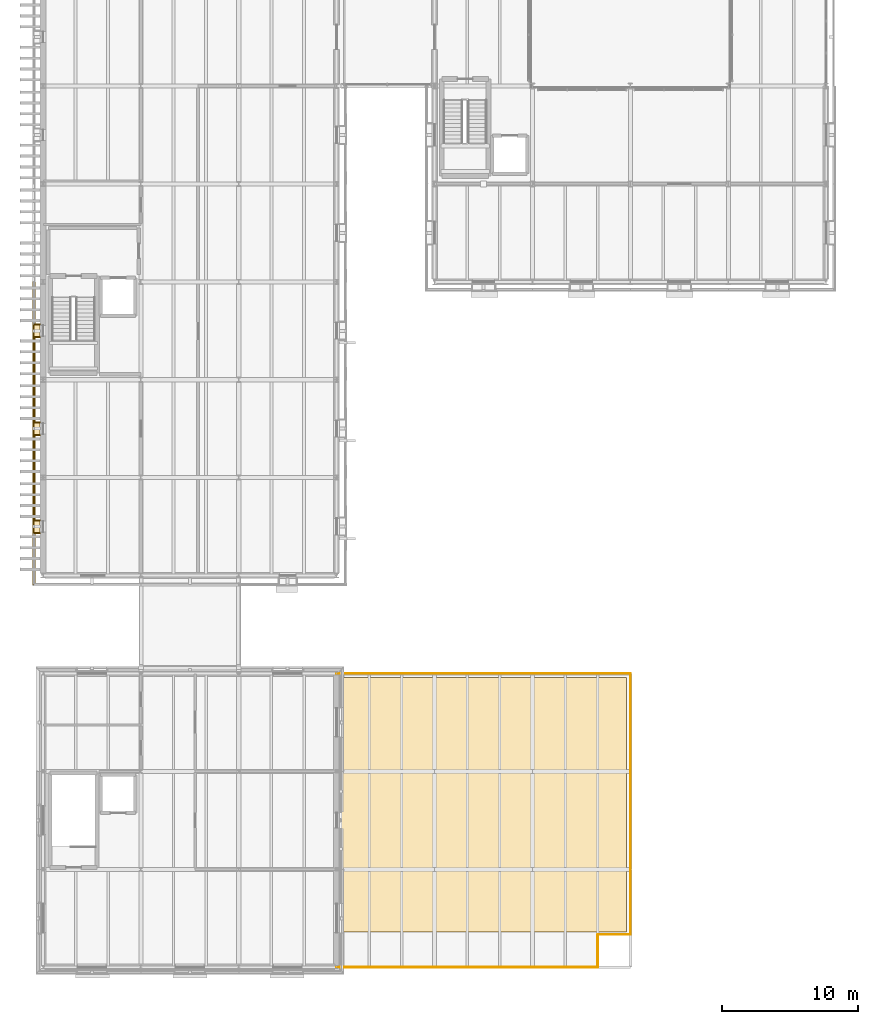
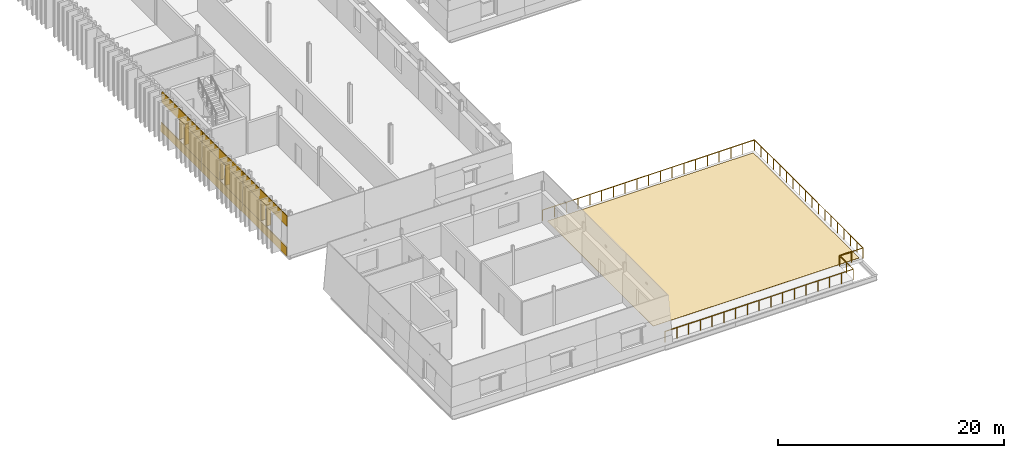
# One storey, part 93 of 115: 23 coverings, 5 railings.
"""IFC4 building model written with IfcOpenShell, lengths in metres."""

from ifc_helpers import new_model, si_unit, direction, frame, origin, origin_2d, place, context, subcontext, project, spatial, polyline, circle, outline, extrude, material, layer, layer_set, type_object, element, save


model = new_model("IFC4")

# Units and contexts
model_context = context("Model", 3, precision=1e-05, world=origin(), true_north=direction((0.0, 1.0)))
body_context = subcontext(model_context, "Body", "Model", "MODEL_VIEW")
ifc_project = project(units=[si_unit("LENGTHUNIT", "METRE"), si_unit("AREAUNIT", "SQUARE_METRE"), si_unit("VOLUMEUNIT", "CUBIC_METRE"), si_unit("PLANEANGLEUNIT", "RADIAN"), si_unit("MASSUNIT", "GRAM", prefix="KILO")], contexts=[model_context])

# Site, building, storey
site_placement = place(None, origin())
site = spatial("IfcSite", under=ifc_project, at=site_placement, CompositionType="ELEMENT")
building_placement = place(site_placement, origin())
building = spatial("IfcBuilding", under=site, at=building_placement, Name="Narikvali Park Central Library", CompositionType="ELEMENT")
storey_placement = place(building_placement, frame((0.0, 0.0, 10.199951171875)))
storey = spatial("IfcBuildingStorey", under=building, at=storey_placement, Name="L02", CompositionType="ELEMENT", Elevation=10.199951171875)

# Coverings
ifc_material_1 = material(Name="White Honed Limestone Cladding", Category="masonry")
ifc_layer_1 = layer(ifc_material_1, 0.0849609375, Name="White Honed Limestone Cladding")
ifc_layer_set_1 = layer_set([ifc_layer_1], Name="White Honed Limestone Cladding")
covering_type_1 = type_object("IfcCoveringType", Name="Battered White Limestone Facade Cladding Panel", PredefinedType="CLADDING", material=ifc_layer_set_1)
covering_1_placement = place(storey_placement, frame((-0.75048828125, 50.39990234375, 0.0), z_axis=(-0.999600632529, 0.0, 0.02825907725), x_axis=(0.0, -1.0, 0.0)))
element("IfcCovering", 1, at=covering_1_placement, inside=storey, type_object=covering_type_1, Name="V5 L02 W Battered Limestone Spandrel B09", PredefinedType="CLADDING", context=body_context, shape_type="SweptSolid", body=[
    extrude(outline(polyline([(0.0, 0.0), (7.199951171875, 0.0), (7.199951171875, 0.9503307030441919), (0.0, 0.9503307030441919), (0.0, 0.0)])), origin(), (0.0, 0.0, -1.0), 0.0849609375),
])
covering_2_placement = place(storey_placement, frame((-0.66259765625, 50.39990234375, 3.10009765625), z_axis=(-0.999602873297, 0.0, 0.028179703642), x_axis=(0.0, -1.0, 0.0)))
element("IfcCovering", 2, at=covering_2_placement, inside=storey, type_object=covering_type_1, Name="V5 L02 W Battered Limestone Lintel B09", PredefinedType="CLADDING", context=body_context, shape_type="SweptSolid", body=[
    extrude(outline(polyline([(0.0, 0.0), (7.199951171875, 0.0), (7.199951171875, 1.1002904703523768), (0.0, 1.1002904703523768), (0.0, 0.0)])), origin(), (0.0, 0.0, -1.0), 0.0849609375),
])
covering_3_placement = place(storey_placement, frame((-0.7236328125, 46.360107421875, 0.949951171875), z_axis=(-0.99959734633, 0.0, 0.028375080797), x_axis=(0.0, -1.0, 0.0)))
element("IfcCovering", 3, at=covering_3_placement, inside=storey, type_object=covering_type_1, Name="V5 L02 W Battered Limestone Jamb Pier R B09", PredefinedType="CLADDING", context=body_context, shape_type="SweptSolid", body=[
    extrude(outline(polyline([(0.0, 0.0), (3.16015625, 0.0), (3.16015625, 2.1510125974918495), (0.0, 2.1510125974918495), (0.0, 0.0)])), origin(), (0.0, 0.0, -1.0), 0.0849609375),
])
covering_4_placement = place(storey_placement, frame((-0.75048828125, 43.199951171875, 0.0), z_axis=(-0.999600632529, 0.0, 0.02825907725), x_axis=(0.0, -1.0, 0.0)))
element("IfcCovering", 4, at=covering_4_placement, inside=storey, type_object=covering_type_1, Name="V5 L02 W Battered Limestone Spandrel B10", PredefinedType="CLADDING", context=body_context, shape_type="SweptSolid", body=[
    extrude(outline(polyline([(0.0, 0.0), (7.199951171875, 0.0), (7.199951171875, 0.9503307030441919), (0.0, 0.9503307030441919), (0.0, 0.0)])), origin(), (0.0, 0.0, -1.0), 0.0849609375),
])
covering_5_placement = place(storey_placement, frame((-0.66259765625, 43.199951171875, 3.10009765625), z_axis=(-0.999602873297, 0.0, 0.028179703642), x_axis=(0.0, -1.0, 0.0)))
element("IfcCovering", 5, at=covering_5_placement, inside=storey, type_object=covering_type_1, Name="V5 L02 W Battered Limestone Lintel B10", PredefinedType="CLADDING", context=body_context, shape_type="SweptSolid", body=[
    extrude(outline(polyline([(0.0, 0.0), (7.199951171875, 0.0), (7.199951171875, 1.1002904703523768), (0.0, 1.1002904703523768), (0.0, 0.0)])), origin(), (0.0, 0.0, -1.0), 0.0849609375),
])
for number, where, z_axis, x_axis, name in (
    (6, (-0.7236328125, 43.199951171875, 0.949951171875), (-0.99959734633, 0.0, 0.028375080797), (0.0, -1.0, 0.0), "V5 L02 W Battered Limestone Jamb Pier L B10"),
    (7, (-0.7236328125, 39.159912109375, 0.949951171875), (-0.99959734633, 0.0, 0.028375080797), (0.0, -1.0, 0.0), "V5 L02 W Battered Limestone Jamb Pier R B10"),
):
    element("IfcCovering", number, at=place(storey_placement, frame(where, z_axis=z_axis, x_axis=x_axis)), inside=storey, type_object=covering_type_1, Name=name, PredefinedType="CLADDING", context=body_context, shape_type="SweptSolid", body=[
        extrude(outline(polyline([(0.0, 0.0), (3.159912109375, 0.0), (3.159912109375, 2.1510125974918495), (0.0, 2.1510125974918495), (0.0, 0.0)])), origin(), (0.0, 0.0, -1.0), 0.0849609375),
    ])
covering_6_placement = place(storey_placement, frame((-0.75048828125, 36.0, 0.0), z_axis=(-0.999600632529, 0.0, 0.02825907725), x_axis=(0.0, -1.0, 0.0)))
element("IfcCovering", 8, at=covering_6_placement, inside=storey, type_object=covering_type_1, Name="V5 L02 W Battered Limestone Spandrel B11", PredefinedType="CLADDING", context=body_context, shape_type="SweptSolid", body=[
    extrude(outline(polyline([(0.0, 0.0), (7.865478515625, 0.0), (7.838623046875, 0.950330703044192), (0.0, 0.950330703044192), (0.0, 0.0)])), origin(), (0.0, 0.0, -1.0), 0.0849609375),
])
covering_7_placement = place(storey_placement, frame((-0.66259765625, 36.0, 3.10009765625), z_axis=(-0.999602873297, 0.0, 0.028179703642), x_axis=(0.0, -1.0, 0.0)))
element("IfcCovering", 9, at=covering_7_placement, inside=storey, type_object=covering_type_1, Name="V5 L02 W Battered Limestone Lintel B11", PredefinedType="CLADDING", context=body_context, shape_type="SweptSolid", body=[
    extrude(outline(polyline([(0.0, 0.0), (7.777587890625, 0.0), (7.74658203125, 1.1002904703523768), (0.0, 1.1002904703523768), (0.0, 0.0)])), origin(), (0.0, 0.0, -1.0), 0.0849609375),
])
covering_8_placement = place(storey_placement, frame((-0.7236328125, 36.0, 0.949951171875), z_axis=(-0.99959734633, 0.0, 0.028375080797), x_axis=(0.0, -1.0, 0.0)))
element("IfcCovering", 10, at=covering_8_placement, inside=storey, type_object=covering_type_1, Name="V5 L02 W Battered Limestone Jamb Pier L B11", PredefinedType="CLADDING", context=body_context, shape_type="SweptSolid", body=[
    extrude(outline(polyline([(0.0, 0.0), (3.159912109375, 0.0), (3.159912109375, 2.1510125974918495), (0.0, 2.1510125974918495), (0.0, 0.0)])), origin(), (0.0, 0.0, -1.0), 0.0849609375),
])
ifc_layer_2 = layer(ifc_material_1, 0.080078125, Name="White Honed Limestone Cladding")
ifc_layer_set_2 = layer_set([ifc_layer_2], Name="White Honed Limestone Cladding")
covering_type_2 = type_object("IfcCoveringType", Name="Deep Carved White Limestone Window Reveal", PredefinedType="CLADDING", material=ifc_layer_set_2)
covering_9_placement = place(storey_placement, frame((0.0, 0.0, 3.10009765625)))
element("IfcCovering", 11, at=covering_9_placement, inside=storey, type_object=covering_type_2, Name="Deep Stone Reveal Head V5-RVL-L02-W-B09", PredefinedType="CLADDING", context=body_context, shape_type="SweptSolid", body=[
    extrude(outline(polyline([(-0.205078125, 47.280029296875), (-0.205078125, 46.320068359375), (-0.66259765625, 46.320068359375), (-0.66259765625, 47.280029296875), (-0.205078125, 47.280029296875)])), origin(), (0.0, 0.0, 1.0), 0.079833984375),
])
covering_10_placement = place(storey_placement, frame((0.0, 0.0, 0.8701171875)))
element("IfcCovering", 12, at=covering_10_placement, inside=storey, type_object=covering_type_2, Name="Deep Stone Reveal Sill V5-RVL-L02-W-B09", PredefinedType="CLADDING", context=body_context, shape_type="SweptSolid", body=[
    extrude(outline(polyline([(-0.205078125, 47.280029296875), (-0.205078125, 46.320068359375), (-0.7236328125, 46.320068359375), (-0.7236328125, 47.280029296875), (-0.205078125, 47.280029296875)])), origin(), (0.0, 0.0, 1.0), 0.079833984375),
])
covering_11_placement = place(storey_placement, frame((0.0, 0.0, 0.949951171875)))
element("IfcCovering", 13, at=covering_11_placement, inside=storey, type_object=covering_type_2, Name="Deep Stone Reveal Jamb L V5-RVL-L02-W-B09", PredefinedType="CLADDING", context=body_context, shape_type="SweptSolid", body=[
    extrude(outline(polyline([(-0.205078125, 47.320068359375), (-0.205078125, 47.239990234375), (-0.66259765625, 47.239990234375), (-0.66259765625, 47.320068359375), (-0.205078125, 47.320068359375)])), origin(), (0.0, 0.0, 1.0), 2.150146484375),
])
covering_12_placement = place(storey_placement, frame((0.0, 0.0, 0.949951171875)))
element("IfcCovering", 14, at=covering_12_placement, inside=storey, type_object=covering_type_2, Name="Deep Stone Reveal Jamb R V5-RVL-L02-W-B09", PredefinedType="CLADDING", context=body_context, shape_type="SweptSolid", body=[
    extrude(outline(polyline([(-0.205078125, 46.360107421875), (-0.205078125, 46.280029296875), (-0.66259765625, 46.280029296875), (-0.66259765625, 46.360107421875), (-0.205078125, 46.360107421875)])), origin(), (0.0, 0.0, 1.0), 2.150146484375),
])
covering_13_placement = place(storey_placement, frame((0.0, 0.0, 3.10009765625)))
element("IfcCovering", 15, at=covering_13_placement, inside=storey, type_object=covering_type_2, Name="Deep Stone Reveal Head V5-RVL-L02-W-B10", PredefinedType="CLADDING", context=body_context, shape_type="SweptSolid", body=[
    extrude(outline(polyline([(-0.205078125, 40.080078125), (-0.205078125, 39.1201171875), (-0.66259765625, 39.1201171875), (-0.66259765625, 40.080078125), (-0.205078125, 40.080078125)])), origin(), (0.0, 0.0, 1.0), 0.079833984375),
])
covering_14_placement = place(storey_placement, frame((0.0, 0.0, 0.8701171875)))
element("IfcCovering", 16, at=covering_14_placement, inside=storey, type_object=covering_type_2, Name="Deep Stone Reveal Sill V5-RVL-L02-W-B10", PredefinedType="CLADDING", context=body_context, shape_type="SweptSolid", body=[
    extrude(outline(polyline([(-0.205078125, 40.080078125), (-0.205078125, 39.1201171875), (-0.7236328125, 39.1201171875), (-0.7236328125, 40.080078125), (-0.205078125, 40.080078125)])), origin(), (0.0, 0.0, 1.0), 0.079833984375),
])
covering_15_placement = place(storey_placement, frame((0.0, 0.0, 0.949951171875)))
element("IfcCovering", 17, at=covering_15_placement, inside=storey, type_object=covering_type_2, Name="Deep Stone Reveal Jamb L V5-RVL-L02-W-B10", PredefinedType="CLADDING", context=body_context, shape_type="SweptSolid", body=[
    extrude(outline(polyline([(-0.205078125, 40.1201171875), (-0.205078125, 40.0400390625), (-0.66259765625, 40.0400390625), (-0.66259765625, 40.1201171875), (-0.205078125, 40.1201171875)])), origin(), (0.0, 0.0, 1.0), 2.150146484375),
])
covering_16_placement = place(storey_placement, frame((0.0, 0.0, 0.949951171875)))
element("IfcCovering", 18, at=covering_16_placement, inside=storey, type_object=covering_type_2, Name="Deep Stone Reveal Jamb R V5-RVL-L02-W-B10", PredefinedType="CLADDING", context=body_context, shape_type="SweptSolid", body=[
    extrude(outline(polyline([(-0.205078125, 39.159912109375), (-0.205078125, 39.080078125), (-0.66259765625, 39.080078125), (-0.66259765625, 39.159912109375), (-0.205078125, 39.159912109375)])), origin(), (0.0, 0.0, 1.0), 2.150146484375),
])
covering_17_placement = place(storey_placement, frame((0.0, 0.0, 3.10009765625)))
element("IfcCovering", 19, at=covering_17_placement, inside=storey, type_object=covering_type_2, Name="Deep Stone Reveal Head V5-RVL-L02-W-B11", PredefinedType="CLADDING", context=body_context, shape_type="SweptSolid", body=[
    extrude(outline(polyline([(-0.205078125, 32.8798828125), (-0.205078125, 31.919921875), (-0.66259765625, 31.919921875), (-0.66259765625, 32.8798828125), (-0.205078125, 32.8798828125)])), origin(), (0.0, 0.0, 1.0), 0.079833984375),
])
covering_18_placement = place(storey_placement, frame((0.0, 0.0, 0.8701171875)))
element("IfcCovering", 20, at=covering_18_placement, inside=storey, type_object=covering_type_2, Name="Deep Stone Reveal Sill V5-RVL-L02-W-B11", PredefinedType="CLADDING", context=body_context, shape_type="SweptSolid", body=[
    extrude(outline(polyline([(-0.205078125, 32.8798828125), (-0.205078125, 31.919921875), (-0.7236328125, 31.919921875), (-0.7236328125, 32.8798828125), (-0.205078125, 32.8798828125)])), origin(), (0.0, 0.0, 1.0), 0.079833984375),
])
covering_19_placement = place(storey_placement, frame((0.0, 0.0, 0.949951171875)))
element("IfcCovering", 21, at=covering_19_placement, inside=storey, type_object=covering_type_2, Name="Deep Stone Reveal Jamb L V5-RVL-L02-W-B11", PredefinedType="CLADDING", context=body_context, shape_type="SweptSolid", body=[
    extrude(outline(polyline([(-0.205078125, 32.919921875), (-0.205078125, 32.840087890625), (-0.66259765625, 32.840087890625), (-0.66259765625, 32.919921875), (-0.205078125, 32.919921875)])), origin(), (0.0, 0.0, 1.0), 2.150146484375),
])
covering_20_placement = place(storey_placement, frame((0.0, 0.0, 0.949951171875)))
element("IfcCovering", 22, at=covering_20_placement, inside=storey, type_object=covering_type_2, Name="Deep Stone Reveal Jamb R V5-RVL-L02-W-B11", PredefinedType="CLADDING", context=body_context, shape_type="SweptSolid", body=[
    extrude(outline(polyline([(-0.205078125, 31.9599609375), (-0.205078125, 31.8798828125), (-0.66259765625, 31.8798828125), (-0.66259765625, 31.9599609375), (-0.205078125, 31.9599609375)])), origin(), (0.0, 0.0, 1.0), 2.150146484375),
])
ifc_material_2 = material(Name="Root-Resistant EPDM Waterproofing Membrane")
ifc_layer_3 = layer(ifc_material_2, 0.02490234375, Name="Root-Resistant EPDM Waterproofing Membrane")
ifc_layer_set_3 = layer_set([ifc_layer_3], Name="Root-Resistant EPDM Waterproofing Membrane")
covering_type_3 = type_object("IfcCoveringType", Name="Planted Roof Waterproofing Membrane", PredefinedType="MEMBRANE", material=ifc_layer_set_3)
covering_21_placement = place(storey_placement, origin())
element("IfcCovering", 23, at=covering_21_placement, inside=storey, type_object=covering_type_3, Name="V2 L02 Terrace EPDM Membrane", PredefinedType="MEMBRANE", context=body_context, shape_type="SweptSolid", body=[
    extrude(outline(polyline([(21.89990234375, 2.60009765625), (42.89990234375, 2.60009765625), (42.89990234375, 21.300048828125), (21.89990234375, 21.300048828125), (21.89990234375, 2.60009765625)])), origin(), (0.0, 0.0, 1.0), 0.025146484375),
])

# Railings
ifc_material_3 = material(Name="Anodised Bronze and White Limestone", Category="masonry")
ifc_layer_4 = layer(ifc_material_3, 0.080078125, Name="Anodised Bronze and White Limestone")
ifc_layer_set_4 = layer_set([ifc_layer_4], Name="Anodised Bronze and White Limestone")
railing_type = type_object("IfcRailingType", Name="Terrace Stone and Bronze Balustrade 1150", PredefinedType="BALUSTRADE", material=ifc_layer_set_4)
railing_1_placement = place(storey_placement, frame((21.60009765625, 0.0, 0.0)))
element("IfcRailing", 24, at=railing_1_placement, inside=storey, type_object=railing_type, Name="V2 L02 Roof Garden Balustrade 1", PredefinedType="BALUSTRADE", context=body_context, shape_type="SweptSolid", body=[
    extrude(circle(Radius=0.02392578125, at=origin_2d()), frame((0.0, 0.0, 1.1259765625), z_axis=(1.0, 0.0, 0.0), x_axis=(0.0, 1.0, 0.0)), (0.0, 0.0, 1.0), 19.199951171875),
    extrude(circle(Radius=0.02099609375, at=origin_2d()), origin(), (0.0, 0.0, 1.0), 1.101806640625),
    extrude(circle(Radius=0.02099609375, at=origin_2d()), frame((1.199951171875, 0.0, 0.0)), (0.0, 0.0, 1.0), 1.101806640625),
    extrude(circle(Radius=0.02099609375, at=origin_2d()), frame((2.39990234375, 0.0, 0.0)), (0.0, 0.0, 1.0), 1.101806640625),
    extrude(circle(Radius=0.02099609375, at=origin_2d()), frame((3.60009765625, 0.0, 0.0)), (0.0, 0.0, 1.0), 1.101806640625),
    extrude(circle(Radius=0.02099609375, at=origin_2d()), frame((4.800048828125, 0.0, 0.0)), (0.0, 0.0, 1.0), 1.101806640625),
    extrude(circle(Radius=0.02099609375, at=origin_2d()), frame((6.0, 0.0, 0.0)), (0.0, 0.0, 1.0), 1.101806640625),
    extrude(circle(Radius=0.02099609375, at=origin_2d()), frame((7.199951171875, 0.0, 0.0)), (0.0, 0.0, 1.0), 1.101806640625),
    extrude(circle(Radius=0.02099609375, at=origin_2d()), frame((8.39990234375, 0.0, 0.0)), (0.0, 0.0, 1.0), 1.101806640625),
    extrude(circle(Radius=0.02099609375, at=origin_2d()), frame((9.60009765625, 0.0, 0.0)), (0.0, 0.0, 1.0), 1.101806640625),
    extrude(circle(Radius=0.02099609375, at=origin_2d()), frame((10.800048828125, 0.0, 0.0)), (0.0, 0.0, 1.0), 1.101806640625),
    extrude(circle(Radius=0.02099609375, at=origin_2d()), frame((12.0, 0.0, 0.0)), (0.0, 0.0, 1.0), 1.101806640625),
    extrude(circle(Radius=0.02099609375, at=origin_2d()), frame((13.199951171875, 0.0, 0.0)), (0.0, 0.0, 1.0), 1.101806640625),
    extrude(circle(Radius=0.02099609375, at=origin_2d()), frame((14.39990234375, 0.0, 0.0)), (0.0, 0.0, 1.0), 1.101806640625),
    extrude(circle(Radius=0.02099609375, at=origin_2d()), frame((15.599853515625, 0.0, 0.0)), (0.0, 0.0, 1.0), 1.101806640625),
    extrude(circle(Radius=0.02099609375, at=origin_2d()), frame((16.800048828125, 0.0, 0.0)), (0.0, 0.0, 1.0), 1.101806640625),
    extrude(circle(Radius=0.02099609375, at=origin_2d()), frame((18.0, 0.0, 0.0)), (0.0, 0.0, 1.0), 1.101806640625),
    extrude(circle(Radius=0.02099609375, at=origin_2d()), frame((19.199951171875, 0.0, 0.0)), (0.0, 0.0, 1.0), 1.101806640625),
])
railing_2_placement = place(storey_placement, frame((40.800048828125, 0.0, 0.0)))
element("IfcRailing", 25, at=railing_2_placement, inside=storey, type_object=railing_type, Name="V2 L02 Roof Garden Balustrade 2", PredefinedType="BALUSTRADE", context=body_context, shape_type="SweptSolid", body=[
    extrude(circle(Radius=0.02392578125, at=origin_2d()), frame((0.0, 0.0, 1.1259765625), z_axis=(0.0, 1.0, 0.0), x_axis=(-1.0, 0.0, 0.0)), (0.0, 0.0, 1.0), 2.39990234375),
    extrude(circle(Radius=0.02099609375, at=origin_2d()), origin(), (0.0, 0.0, 1.0), 1.101806640625),
    extrude(circle(Radius=0.02099609375, at=origin_2d()), frame((0.0, 1.199951171875, 0.0)), (0.0, 0.0, 1.0), 1.101806640625),
    extrude(circle(Radius=0.02099609375, at=origin_2d()), frame((0.0, 2.39990234375, 0.0)), (0.0, 0.0, 1.0), 1.101806640625),
])
railing_3_placement = place(storey_placement, frame((40.800048828125, 2.39990234375, 0.0)))
element("IfcRailing", 26, at=railing_3_placement, inside=storey, type_object=railing_type, Name="V2 L02 Roof Garden Balustrade 3", PredefinedType="BALUSTRADE", context=body_context, shape_type="SweptSolid", body=[
    extrude(circle(Radius=0.02392578125, at=origin_2d()), frame((0.0, 0.0, 1.1259765625), z_axis=(1.0, 0.0, 0.0), x_axis=(0.0, 1.0, 0.0)), (0.0, 0.0, 1.0), 2.39990234375),
    extrude(circle(Radius=0.02099609375, at=origin_2d()), origin(), (0.0, 0.0, 1.0), 1.101806640625),
    extrude(circle(Radius=0.02099609375, at=origin_2d()), frame((1.199951171875, 0.0, 0.0)), (0.0, 0.0, 1.0), 1.101806640625),
    extrude(circle(Radius=0.02099609375, at=origin_2d()), frame((2.39990234375, 0.0, 0.0)), (0.0, 0.0, 1.0), 1.101806640625),
])
railing_4_placement = place(storey_placement, frame((43.199951171875, 2.39990234375, 0.0)))
element("IfcRailing", 27, at=railing_4_placement, inside=storey, type_object=railing_type, Name="V2 L02 Roof Garden Balustrade 4", PredefinedType="BALUSTRADE", context=body_context, shape_type="SweptSolid", body=[
    extrude(circle(Radius=0.02392578125, at=origin_2d()), frame((0.0, 0.0, 1.1259765625), z_axis=(0.0, 1.0, 0.0), x_axis=(-1.0, 0.0, 0.0)), (0.0, 0.0, 1.0), 19.2001953125),
    extrude(circle(Radius=0.02099609375, at=origin_2d()), origin(), (0.0, 0.0, 1.0), 1.101806640625),
    extrude(circle(Radius=0.02099609375, at=origin_2d()), frame((0.0, 1.12939453125, 0.0)), (0.0, 0.0, 1.0), 1.101806640625),
    extrude(circle(Radius=0.02099609375, at=origin_2d()), frame((0.0, 2.2587890625, 0.0)), (0.0, 0.0, 1.0), 1.101806640625),
    extrude(circle(Radius=0.02099609375, at=origin_2d()), frame((0.0, 3.38818359375, 0.0)), (0.0, 0.0, 1.0), 1.101806640625),
    extrude(circle(Radius=0.02099609375, at=origin_2d()), frame((0.0, 4.517578125, 0.0)), (0.0, 0.0, 1.0), 1.101806640625),
    extrude(circle(Radius=0.02099609375, at=origin_2d()), frame((0.0, 5.647216796875, 0.0)), (0.0, 0.0, 1.0), 1.101806640625),
    extrude(circle(Radius=0.02099609375, at=origin_2d()), frame((0.0, 6.776611328125, 0.0)), (0.0, 0.0, 1.0), 1.101806640625),
    extrude(circle(Radius=0.02099609375, at=origin_2d()), frame((0.0, 7.906005859375, 0.0)), (0.0, 0.0, 1.0), 1.101806640625),
    extrude(circle(Radius=0.02099609375, at=origin_2d()), frame((0.0, 9.035400390625, 0.0)), (0.0, 0.0, 1.0), 1.101806640625),
    extrude(circle(Radius=0.02099609375, at=origin_2d()), frame((0.0, 10.164794921875, 0.0)), (0.0, 0.0, 1.0), 1.101806640625),
    extrude(circle(Radius=0.02099609375, at=origin_2d()), frame((0.0, 11.294189453125, 0.0)), (0.0, 0.0, 1.0), 1.101806640625),
    extrude(circle(Radius=0.02099609375, at=origin_2d()), frame((0.0, 12.423583984375, 0.0)), (0.0, 0.0, 1.0), 1.101806640625),
    extrude(circle(Radius=0.02099609375, at=origin_2d()), frame((0.0, 13.552978515625, 0.0)), (0.0, 0.0, 1.0), 1.101806640625),
    extrude(circle(Radius=0.02099609375, at=origin_2d()), frame((0.0, 14.6826171875, 0.0)), (0.0, 0.0, 1.0), 1.101806640625),
    extrude(circle(Radius=0.02099609375, at=origin_2d()), frame((0.0, 15.81201171875, 0.0)), (0.0, 0.0, 1.0), 1.101806640625),
    extrude(circle(Radius=0.02099609375, at=origin_2d()), frame((0.0, 16.94140625, 0.0)), (0.0, 0.0, 1.0), 1.101806640625),
    extrude(circle(Radius=0.02099609375, at=origin_2d()), frame((0.0, 18.07080078125, 0.0)), (0.0, 0.0, 1.0), 1.101806640625),
    extrude(circle(Radius=0.02099609375, at=origin_2d()), frame((0.0, 19.2001953125, 0.0)), (0.0, 0.0, 1.0), 1.101806640625),
])
railing_5_placement = place(storey_placement, frame((43.199951171875, 21.60009765625, 0.0)))
element("IfcRailing", 28, at=railing_5_placement, inside=storey, type_object=railing_type, Name="V2 L02 Roof Garden Balustrade 5", PredefinedType="BALUSTRADE", context=body_context, shape_type="SweptSolid", body=[
    extrude(circle(Radius=0.02392578125, at=origin_2d()), frame((0.0, 0.0, 1.1259765625), z_axis=(-1.0, 0.0, 0.0), x_axis=(0.0, -1.0, 0.0)), (0.0, 0.0, 1.0), 21.599853515625),
    extrude(circle(Radius=0.02099609375, at=origin_2d()), origin(), (0.0, 0.0, 1.0), 1.101806640625),
    extrude(circle(Radius=0.02099609375, at=origin_2d()), frame((-1.199951171875, 0.0, 0.0)), (0.0, 0.0, 1.0), 1.101806640625),
    extrude(circle(Radius=0.02099609375, at=origin_2d()), frame((-2.39990234375, 0.0, 0.0)), (0.0, 0.0, 1.0), 1.101806640625),
    extrude(circle(Radius=0.02099609375, at=origin_2d()), frame((-3.60009765625, 0.0, 0.0)), (0.0, 0.0, 1.0), 1.101806640625),
    extrude(circle(Radius=0.02099609375, at=origin_2d()), frame((-4.800048828125, 0.0, 0.0)), (0.0, 0.0, 1.0), 1.101806640625),
    extrude(circle(Radius=0.02099609375, at=origin_2d()), frame((-6.0, 0.0, 0.0)), (0.0, 0.0, 1.0), 1.101806640625),
    extrude(circle(Radius=0.02099609375, at=origin_2d()), frame((-7.199951171875, 0.0, 0.0)), (0.0, 0.0, 1.0), 1.101806640625),
    extrude(circle(Radius=0.02099609375, at=origin_2d()), frame((-8.39990234375, 0.0, 0.0)), (0.0, 0.0, 1.0), 1.101806640625),
    extrude(circle(Radius=0.02099609375, at=origin_2d()), frame((-9.599853515625, 0.0, 0.0)), (0.0, 0.0, 1.0), 1.101806640625),
    extrude(circle(Radius=0.02099609375, at=origin_2d()), frame((-10.7998046875, 0.0, 0.0)), (0.0, 0.0, 1.0), 1.101806640625),
    extrude(circle(Radius=0.02099609375, at=origin_2d()), frame((-12.0, 0.0, 0.0)), (0.0, 0.0, 1.0), 1.101806640625),
    extrude(circle(Radius=0.02099609375, at=origin_2d()), frame((-13.199951171875, 0.0, 0.0)), (0.0, 0.0, 1.0), 1.101806640625),
    extrude(circle(Radius=0.02099609375, at=origin_2d()), frame((-14.39990234375, 0.0, 0.0)), (0.0, 0.0, 1.0), 1.101806640625),
    extrude(circle(Radius=0.02099609375, at=origin_2d()), frame((-15.599853515625, 0.0, 0.0)), (0.0, 0.0, 1.0), 1.101806640625),
    extrude(circle(Radius=0.02099609375, at=origin_2d()), frame((-16.7998046875, 0.0, 0.0)), (0.0, 0.0, 1.0), 1.101806640625),
    extrude(circle(Radius=0.02099609375, at=origin_2d()), frame((-18.0, 0.0, 0.0)), (0.0, 0.0, 1.0), 1.101806640625),
    extrude(circle(Radius=0.02099609375, at=origin_2d()), frame((-19.199951171875, 0.0, 0.0)), (0.0, 0.0, 1.0), 1.101806640625),
    extrude(circle(Radius=0.02099609375, at=origin_2d()), frame((-20.39990234375, 0.0, 0.0)), (0.0, 0.0, 1.0), 1.101806640625),
    extrude(circle(Radius=0.02099609375, at=origin_2d()), frame((-21.599853515625, 0.0, 0.0)), (0.0, 0.0, 1.0), 1.101806640625),
])

save(model, "model.ifc")
